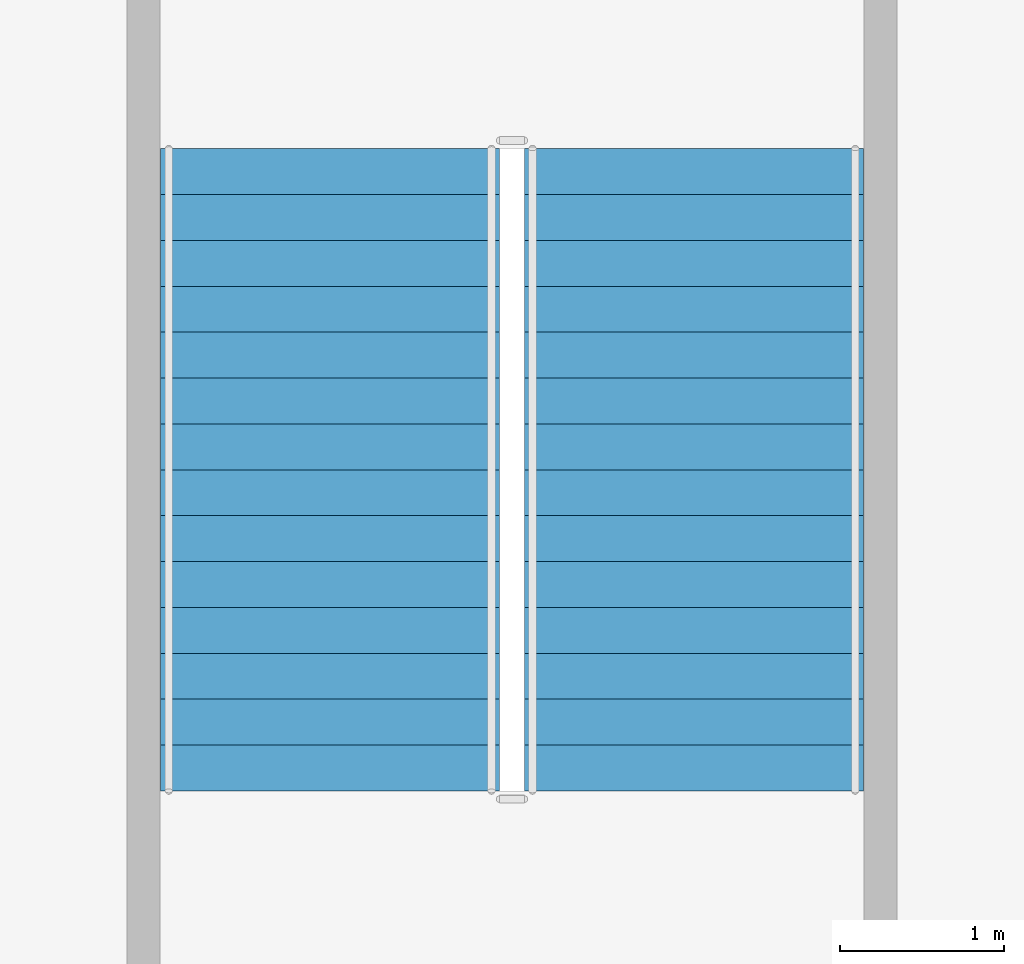
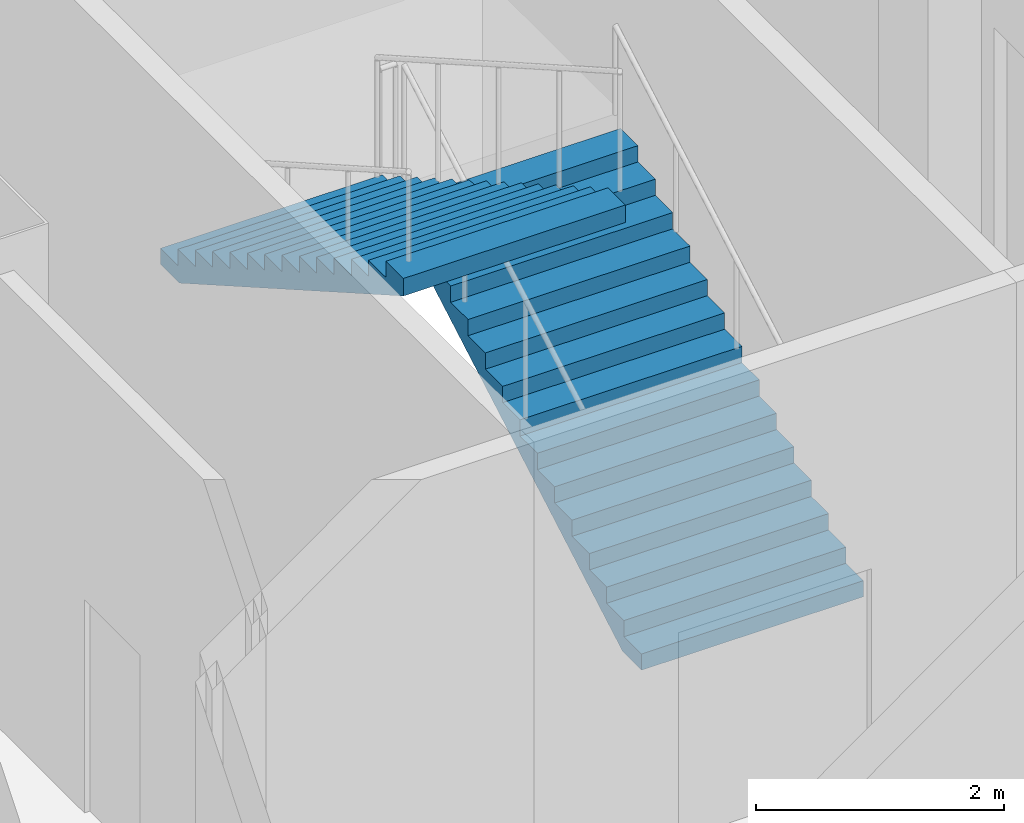
# One storey, part 18 of 23: 2 stair flights, 1 element without a shape of its own.
"""IFC4 building model written with IfcOpenShell, lengths in metres."""

from ifc_helpers import new_model, si_unit, direction, frame, origin, place, context, subcontext, project, spatial, polygons, material, type_object, element, aggregate, save


model = new_model("IFC4")

# Units and contexts
model_context = context("Model", 3, precision=1e-05, world=origin(), true_north=direction((0.0, 1.0)))
body_context = subcontext(model_context, "Body", "Model", "MODEL_VIEW")
ifc_project = project(units=[si_unit("LENGTHUNIT", "METRE"), si_unit("AREAUNIT", "SQUARE_METRE"), si_unit("VOLUMEUNIT", "CUBIC_METRE"), si_unit("PLANEANGLEUNIT", "RADIAN"), si_unit("MASSUNIT", "GRAM", prefix="KILO")], contexts=[model_context])

# Site, building, storey
site_placement = place(None, origin())
site = spatial("IfcSite", under=ifc_project, at=site_placement, CompositionType="ELEMENT")
building_placement = place(site_placement, origin())
building = spatial("IfcBuilding", under=site, at=building_placement, Name="Caravel Reach Hotel and Residences", CompositionType="ELEMENT")
storey_placement = place(building_placement, frame((0.0, 0.0, 24.0)))
storey = spatial("IfcBuildingStorey", under=building, at=storey_placement, Name="L04", CompositionType="ELEMENT", Elevation=24.0)

# Stair, stair flights
ifc_material_1 = material(Name="Concrete C40", Category="concrete")
stair_type = type_object("IfcStairType", Name="Core stair", PredefinedType="HALF_TURN_STAIR", material=ifc_material_1)
stair_placement = place(storey_placement, origin())
stair = element("IfcStair", 1, at=stair_placement, inside=storey, type_object=stair_type, Name="L04 Exit stair P6", PredefinedType="HALF_TURN_STAIR")
ifc_material_2 = material(Name="Concrete C40", Category="concrete")
stair_flight_type = type_object("IfcStairFlightType", Name="Core stair flight", PredefinedType="STRAIGHT", material=ifc_material_2)
stair_flight_1_placement = place(storey_placement, frame((64.360107421875, 42.68994140625, 0.0), z_axis=(0.0, 0.0, 1.0), x_axis=(0.0, 1.0, 0.0)))
stair_flight_1 = element("IfcStairFlight", 2, at=stair_flight_1_placement, type_object=stair_flight_type, Name="ST-P6 flight 1", NumberOfRisers=15, NumberOfTreads=14, PredefinedType="STRAIGHT", RiserHeight=0.16, TreadLength=0.28, context=body_context, shape_type="Tessellation", body=[
    polygons([(0.30213783309663755, 1.0350341796875, 0.0), (0.30213783309663755, 0.6900227864583333, 0.0), (0.30213783309663755, 0.34501139322916663, 0.0), (0.30213783309663755, 0.0, 0.0), (0.30213783309663755, -0.34501139322916674, 0.0), (0.30213783309663755, -0.6900227864583333, 0.0), (0.30213783309663755, -1.0350341796875, 0.0), (3.9210000000000003, 1.0350341796875, 2.0673498096590643), (3.9210000000000003, 0.6900227864583333, 2.0673498096590643), (3.9210000000000003, 0.34501139322916663, 2.0673498096590643), (3.9210000000000003, 0.0, 2.0673498096590643), (3.9210000000000003, -0.34501139322916674, 2.0673498096590643), (3.9210000000000003, -0.6900227864583333, 2.0673498096590643), (3.9210000000000003, -1.0350341796875, 2.0673498096590643), (3.9210000000000003, 1.0350341796875, 2.24), (3.9210000000000003, 0.6900227864583333, 2.24), (3.9210000000000003, 0.34501139322916663, 2.24), (3.9210000000000003, 0.0, 2.24), (3.9210000000000003, -0.34501139322916674, 2.24), (3.9210000000000003, -0.6900227864583333, 2.24), (3.9210000000000003, -1.0350341796875, 2.24), (3.6400000000000006, 1.0350341796875, 2.24), (3.6400000000000006, 0.6900227864583333, 2.24), (3.6400000000000006, 0.34501139322916663, 2.24), (3.6400000000000006, 0.0, 2.24), (3.6400000000000006, -0.34501139322916674, 2.24), (3.6400000000000006, -0.6900227864583333, 2.24), (3.6400000000000006, -1.0350341796875, 2.24), (3.6400000000000006, 1.0350341796875, 2.08), (3.6400000000000006, 0.6900227864583333, 2.08), (3.6400000000000006, 0.34501139322916663, 2.08), (3.6400000000000006, 0.0, 2.08), (3.6400000000000006, -0.34501139322916674, 2.08), (3.6400000000000006, -0.6900227864583333, 2.08), (3.6400000000000006, -1.0350341796875, 2.08), (3.3600000000000003, 1.0350341796875, 2.08), (3.3600000000000003, 0.6900227864583333, 2.08), (3.3600000000000003, 0.34501139322916663, 2.08), (3.3600000000000003, 0.0, 2.08), (3.3600000000000003, -0.34501139322916674, 2.08), (3.3600000000000003, -0.6900227864583333, 2.08), (3.3600000000000003, -1.0350341796875, 2.08), (3.3600000000000003, 1.0350341796875, 1.92), (3.3600000000000003, 0.6900227864583333, 1.92), (3.3600000000000003, 0.34501139322916663, 1.92), (3.3600000000000003, 0.0, 1.92), (3.3600000000000003, -0.34501139322916674, 1.92), (3.3600000000000003, -0.6900227864583333, 1.92), (3.3600000000000003, -1.0350341796875, 1.92), (3.08, 1.0350341796875, 1.92), (3.08, 0.6900227864583333, 1.92), (3.08, 0.34501139322916663, 1.92), (3.08, 0.0, 1.92), (3.08, -0.34501139322916674, 1.92), (3.08, -0.6900227864583333, 1.92), (3.08, -1.0350341796875, 1.92), (3.08, 1.0350341796875, 1.76), (3.08, 0.6900227864583333, 1.76), (3.08, 0.34501139322916663, 1.76), (3.08, 0.0, 1.76), (3.08, -0.34501139322916674, 1.76), (3.08, -0.6900227864583333, 1.76), (3.08, -1.0350341796875, 1.76), (2.8000000000000003, 1.0350341796875, 1.76), (2.8000000000000003, 0.6900227864583333, 1.76), (2.8000000000000003, 0.34501139322916663, 1.76), (2.8000000000000003, 0.0, 1.76), (2.8000000000000003, -0.34501139322916674, 1.76), (2.8000000000000003, -0.6900227864583333, 1.76), (2.8000000000000003, -1.0350341796875, 1.76), (2.8000000000000003, 1.0350341796875, 1.6), (2.8000000000000003, 0.6900227864583333, 1.6), (2.8000000000000003, 0.34501139322916663, 1.6), (2.8000000000000003, 0.0, 1.6), (2.8000000000000003, -0.34501139322916674, 1.6), (2.8000000000000003, -0.6900227864583333, 1.6), (2.8000000000000003, -1.0350341796875, 1.6), (2.5200000000000005, 1.0350341796875, 1.6), (2.5200000000000005, 0.6900227864583333, 1.6), (2.5200000000000005, 0.34501139322916663, 1.6), (2.5200000000000005, 0.0, 1.6), (2.5200000000000005, -0.34501139322916674, 1.6), (2.5200000000000005, -0.6900227864583333, 1.6), (2.5200000000000005, -1.0350341796875, 1.6), (2.5200000000000005, 1.0350341796875, 1.44), (2.5200000000000005, 0.6900227864583333, 1.44), (2.5200000000000005, 0.34501139322916663, 1.44), (2.5200000000000005, 0.0, 1.44), (2.5200000000000005, -0.34501139322916674, 1.44), (2.5200000000000005, -0.6900227864583333, 1.44), (2.5200000000000005, -1.0350341796875, 1.44), (2.24, 1.0350341796875, 1.44), (2.24, 0.6900227864583333, 1.44), (2.24, 0.34501139322916663, 1.44), (2.24, 0.0, 1.44), (2.24, -0.34501139322916674, 1.44), (2.24, -0.6900227864583333, 1.44), (2.24, -1.0350341796875, 1.44), (2.24, 1.0350341796875, 1.28), (2.24, 0.6900227864583333, 1.28), (2.24, 0.34501139322916663, 1.28), (2.24, 0.0, 1.28), (2.24, -0.34501139322916674, 1.28), (2.24, -0.6900227864583333, 1.28), (2.24, -1.0350341796875, 1.28), (1.9600000000000002, 1.0350341796875, 1.28), (1.9600000000000002, 0.6900227864583333, 1.28), (1.9600000000000002, 0.34501139322916663, 1.28), (1.9600000000000002, 0.0, 1.28), (1.9600000000000002, -0.34501139322916674, 1.28), (1.9600000000000002, -0.6900227864583333, 1.28), (1.9600000000000002, -1.0350341796875, 1.28), (1.9600000000000002, 1.0350341796875, 1.12), (1.9600000000000002, 0.6900227864583333, 1.12), (1.9600000000000002, 0.34501139322916663, 1.12), (1.9600000000000002, 0.0, 1.12), (1.9600000000000002, -0.34501139322916674, 1.12), (1.9600000000000002, -0.6900227864583333, 1.12), (1.9600000000000002, -1.0350341796875, 1.12), (1.6800000000000002, 1.0350341796875, 1.12), (1.6800000000000002, 0.6900227864583333, 1.12), (1.6800000000000002, 0.34501139322916663, 1.12), (1.6800000000000002, 0.0, 1.12), (1.6800000000000002, -0.34501139322916674, 1.12), (1.6800000000000002, -0.6900227864583333, 1.12), (1.6800000000000002, -1.0350341796875, 1.12), (1.6800000000000002, 1.0350341796875, 0.96), (1.6800000000000002, 0.6900227864583333, 0.96), (1.6800000000000002, 0.34501139322916663, 0.96), (1.6800000000000002, 0.0, 0.96), (1.6800000000000002, -0.34501139322916674, 0.96), (1.6800000000000002, -0.6900227864583333, 0.96), (1.6800000000000002, -1.0350341796875, 0.96), (1.4000000000000001, 1.0350341796875, 0.96), (1.4000000000000001, 0.6900227864583333, 0.96), (1.4000000000000001, 0.34501139322916663, 0.96), (1.4000000000000001, 0.0, 0.96), (1.4000000000000001, -0.34501139322916674, 0.96), (1.4000000000000001, -0.6900227864583333, 0.96), (1.4000000000000001, -1.0350341796875, 0.96), (1.4000000000000001, 1.0350341796875, 0.8), (1.4000000000000001, 0.6900227864583333, 0.8), (1.4000000000000001, 0.34501139322916663, 0.8), (1.4000000000000001, 0.0, 0.8), (1.4000000000000001, -0.34501139322916674, 0.8), (1.4000000000000001, -0.6900227864583333, 0.8), (1.4000000000000001, -1.0350341796875, 0.8), (1.12, 1.0350341796875, 0.8), (1.12, 0.6900227864583333, 0.8), (1.12, 0.34501139322916663, 0.8), (1.12, 0.0, 0.8), (1.12, -0.34501139322916674, 0.8), (1.12, -0.6900227864583333, 0.8), (1.12, -1.0350341796875, 0.8), (1.12, 1.0350341796875, 0.64), (1.12, 0.6900227864583333, 0.64), (1.12, 0.34501139322916663, 0.64), (1.12, 0.0, 0.64), (1.12, -0.34501139322916674, 0.64), (1.12, -0.6900227864583333, 0.64), (1.12, -1.0350341796875, 0.64), (0.8400000000000001, 1.0350341796875, 0.64), (0.8400000000000001, 0.6900227864583333, 0.64), (0.8400000000000001, 0.34501139322916663, 0.64), (0.8400000000000001, 0.0, 0.64), (0.8400000000000001, -0.34501139322916674, 0.64), (0.8400000000000001, -0.6900227864583333, 0.64), (0.8400000000000001, -1.0350341796875, 0.64), (0.8400000000000001, 1.0350341796875, 0.48), (0.8400000000000001, 0.6900227864583333, 0.48), (0.8400000000000001, 0.34501139322916663, 0.48), (0.8400000000000001, 0.0, 0.48), (0.8400000000000001, -0.34501139322916674, 0.48), (0.8400000000000001, -0.6900227864583333, 0.48), (0.8400000000000001, -1.0350341796875, 0.48), (0.56, 1.0350341796875, 0.48), (0.56, 0.6900227864583333, 0.48), (0.56, 0.34501139322916663, 0.48), (0.56, 0.0, 0.48), (0.56, -0.34501139322916674, 0.48), (0.56, -0.6900227864583333, 0.48), (0.56, -1.0350341796875, 0.48), (0.56, 1.0350341796875, 0.32), (0.56, 0.6900227864583333, 0.32), (0.56, 0.34501139322916663, 0.32), (0.56, 0.0, 0.32), (0.56, -0.34501139322916674, 0.32), (0.56, -0.6900227864583333, 0.32), (0.56, -1.0350341796875, 0.32), (0.28, 1.0350341796875, 0.32), (0.28, 0.6900227864583333, 0.32), (0.28, 0.34501139322916663, 0.32), (0.28, 0.0, 0.32), (0.28, -0.34501139322916674, 0.32), (0.28, -0.6900227864583333, 0.32), (0.28, -1.0350341796875, 0.32), (0.28, 1.0350341796875, 0.16), (0.28, 0.6900227864583333, 0.16), (0.28, 0.34501139322916663, 0.16), (0.28, 0.0, 0.16), (0.28, -0.34501139322916674, 0.16), (0.28, -0.6900227864583333, 0.16), (0.28, -1.0350341796875, 0.16), (-0.001, 1.0350341796875, 0.16), (-0.001, 0.6900227864583333, 0.16), (-0.001, 0.34501139322916663, 0.16), (-0.001, 0.0, 0.16), (-0.001, -0.34501139322916674, 0.16), (-0.001, -0.6900227864583333, 0.16), (-0.001, -1.0350341796875, 0.16), (-0.001, 1.0350341796875, 0.0), (-0.001, 0.6900227864583333, 0.0), (-0.001, 0.34501139322916663, 0.0), (-0.001, 0.0, 0.0), (-0.001, -0.34501139322916674, 0.0), (-0.001, -0.6900227864583333, 0.0), (-0.001, -1.0350341796875, 0.0)], [[[211, 204, 197, 190, 183, 176, 169, 162, 155, 148, 141, 134, 127, 120, 113, 106, 99, 92, 85, 78, 71, 64, 57, 50, 43, 36, 29, 22, 15, 8, 1]], [[7, 14, 21, 28, 35, 42, 49, 56, 63, 70, 77, 84, 91, 98, 105, 112, 119, 126, 133, 140, 147, 154, 161, 168, 175, 182, 189, 196, 203, 210, 217]], [[1, 8, 9, 2]], [[2, 9, 10, 3]], [[3, 10, 11, 4]], [[4, 11, 12, 5]], [[5, 12, 13, 6]], [[6, 13, 14, 7]], [[8, 15, 16, 9]], [[9, 16, 17, 10]], [[10, 17, 18, 11]], [[11, 18, 19, 12]], [[12, 19, 20, 13]], [[13, 20, 21, 14]], [[15, 22, 23, 16]], [[16, 23, 24, 17]], [[17, 24, 25, 18]], [[18, 25, 26, 19]], [[19, 26, 27, 20]], [[20, 27, 28, 21]], [[22, 29, 30, 23]], [[23, 30, 31, 24]], [[24, 31, 32, 25]], [[25, 32, 33, 26]], [[26, 33, 34, 27]], [[27, 34, 35, 28]], [[29, 36, 37, 30]], [[30, 37, 38, 31]], [[31, 38, 39, 32]], [[32, 39, 40, 33]], [[33, 40, 41, 34]], [[34, 41, 42, 35]], [[36, 43, 44, 37]], [[37, 44, 45, 38]], [[38, 45, 46, 39]], [[39, 46, 47, 40]], [[40, 47, 48, 41]], [[41, 48, 49, 42]], [[43, 50, 51, 44]], [[44, 51, 52, 45]], [[45, 52, 53, 46]], [[46, 53, 54, 47]], [[47, 54, 55, 48]], [[48, 55, 56, 49]], [[50, 57, 58, 51]], [[51, 58, 59, 52]], [[52, 59, 60, 53]], [[53, 60, 61, 54]], [[54, 61, 62, 55]], [[55, 62, 63, 56]], [[57, 64, 65, 58]], [[58, 65, 66, 59]], [[59, 66, 67, 60]], [[60, 67, 68, 61]], [[61, 68, 69, 62]], [[62, 69, 70, 63]], [[64, 71, 72, 65]], [[65, 72, 73, 66]], [[66, 73, 74, 67]], [[67, 74, 75, 68]], [[68, 75, 76, 69]], [[69, 76, 77, 70]], [[71, 78, 79, 72]], [[72, 79, 80, 73]], [[73, 80, 81, 74]], [[74, 81, 82, 75]], [[75, 82, 83, 76]], [[76, 83, 84, 77]], [[78, 85, 86, 79]], [[79, 86, 87, 80]], [[80, 87, 88, 81]], [[81, 88, 89, 82]], [[82, 89, 90, 83]], [[83, 90, 91, 84]], [[85, 92, 93, 86]], [[86, 93, 94, 87]], [[87, 94, 95, 88]], [[88, 95, 96, 89]], [[89, 96, 97, 90]], [[90, 97, 98, 91]], [[92, 99, 100, 93]], [[93, 100, 101, 94]], [[94, 101, 102, 95]], [[95, 102, 103, 96]], [[96, 103, 104, 97]], [[97, 104, 105, 98]], [[99, 106, 107, 100]], [[100, 107, 108, 101]], [[101, 108, 109, 102]], [[102, 109, 110, 103]], [[103, 110, 111, 104]], [[104, 111, 112, 105]], [[106, 113, 114, 107]], [[107, 114, 115, 108]], [[108, 115, 116, 109]], [[109, 116, 117, 110]], [[110, 117, 118, 111]], [[111, 118, 119, 112]], [[113, 120, 121, 114]], [[114, 121, 122, 115]], [[115, 122, 123, 116]], [[116, 123, 124, 117]], [[117, 124, 125, 118]], [[118, 125, 126, 119]], [[120, 127, 128, 121]], [[121, 128, 129, 122]], [[122, 129, 130, 123]], [[123, 130, 131, 124]], [[124, 131, 132, 125]], [[125, 132, 133, 126]], [[127, 134, 135, 128]], [[128, 135, 136, 129]], [[129, 136, 137, 130]], [[130, 137, 138, 131]], [[131, 138, 139, 132]], [[132, 139, 140, 133]], [[134, 141, 142, 135]], [[135, 142, 143, 136]], [[136, 143, 144, 137]], [[137, 144, 145, 138]], [[138, 145, 146, 139]], [[139, 146, 147, 140]], [[141, 148, 149, 142]], [[142, 149, 150, 143]], [[143, 150, 151, 144]], [[144, 151, 152, 145]], [[145, 152, 153, 146]], [[146, 153, 154, 147]], [[148, 155, 156, 149]], [[149, 156, 157, 150]], [[150, 157, 158, 151]], [[151, 158, 159, 152]], [[152, 159, 160, 153]], [[153, 160, 161, 154]], [[155, 162, 163, 156]], [[156, 163, 164, 157]], [[157, 164, 165, 158]], [[158, 165, 166, 159]], [[159, 166, 167, 160]], [[160, 167, 168, 161]], [[162, 169, 170, 163]], [[163, 170, 171, 164]], [[164, 171, 172, 165]], [[165, 172, 173, 166]], [[166, 173, 174, 167]], [[167, 174, 175, 168]], [[169, 176, 177, 170]], [[170, 177, 178, 171]], [[171, 178, 179, 172]], [[172, 179, 180, 173]], [[173, 180, 181, 174]], [[174, 181, 182, 175]], [[176, 183, 184, 177]], [[177, 184, 185, 178]], [[178, 185, 186, 179]], [[179, 186, 187, 180]], [[180, 187, 188, 181]], [[181, 188, 189, 182]], [[183, 190, 191, 184]], [[184, 191, 192, 185]], [[185, 192, 193, 186]], [[186, 193, 194, 187]], [[187, 194, 195, 188]], [[188, 195, 196, 189]], [[190, 197, 198, 191]], [[191, 198, 199, 192]], [[192, 199, 200, 193]], [[193, 200, 201, 194]], [[194, 201, 202, 195]], [[195, 202, 203, 196]], [[197, 204, 205, 198]], [[198, 205, 206, 199]], [[199, 206, 207, 200]], [[200, 207, 208, 201]], [[201, 208, 209, 202]], [[202, 209, 210, 203]], [[204, 211, 212, 205]], [[205, 212, 213, 206]], [[206, 213, 214, 207]], [[207, 214, 215, 208]], [[208, 215, 216, 209]], [[209, 216, 217, 210]], [[211, 1, 2, 212]], [[212, 2, 3, 213]], [[213, 3, 4, 214]], [[214, 4, 5, 215]], [[215, 5, 6, 216]], [[216, 6, 7, 217]]], closed=True),
])
stair_flight_2_placement = place(storey_placement, frame((62.139892578125, 46.610107421875, 2.39990234375), z_axis=(0.0, 0.0, 1.0), x_axis=(0.0, -1.0, 0.0)))
stair_flight_2 = element("IfcStairFlight", 3, at=stair_flight_2_placement, type_object=stair_flight_type, Name="ST-P6 flight 2", NumberOfRisers=15, NumberOfTreads=14, PredefinedType="STRAIGHT", RiserHeight=0.16, TreadLength=0.28, context=body_context, shape_type="Tessellation", body=[
    polygons([(0.30213783309663755, 1.0350341796875, 0.0), (0.30213783309663755, 0.6900227864583333, 0.0), (0.30213783309663755, 0.34501139322916663, 0.0), (0.30213783309663755, 0.0, 0.0), (0.30213783309663755, -0.34501139322916674, 0.0), (0.30213783309663755, -0.6900227864583333, 0.0), (0.30213783309663755, -1.0350341796875, 0.0), (3.9210000000000003, 1.0350341796875, 2.0673498096590643), (3.9210000000000003, 0.6900227864583333, 2.0673498096590643), (3.9210000000000003, 0.34501139322916663, 2.0673498096590643), (3.9210000000000003, 0.0, 2.0673498096590643), (3.9210000000000003, -0.34501139322916674, 2.0673498096590643), (3.9210000000000003, -0.6900227864583333, 2.0673498096590643), (3.9210000000000003, -1.0350341796875, 2.0673498096590643), (3.9210000000000003, 1.0350341796875, 2.24), (3.9210000000000003, 0.6900227864583333, 2.24), (3.9210000000000003, 0.34501139322916663, 2.24), (3.9210000000000003, 0.0, 2.24), (3.9210000000000003, -0.34501139322916674, 2.24), (3.9210000000000003, -0.6900227864583333, 2.24), (3.9210000000000003, -1.0350341796875, 2.24), (3.6400000000000006, 1.0350341796875, 2.24), (3.6400000000000006, 0.6900227864583333, 2.24), (3.6400000000000006, 0.34501139322916663, 2.24), (3.6400000000000006, 0.0, 2.24), (3.6400000000000006, -0.34501139322916674, 2.24), (3.6400000000000006, -0.6900227864583333, 2.24), (3.6400000000000006, -1.0350341796875, 2.24), (3.6400000000000006, 1.0350341796875, 2.08), (3.6400000000000006, 0.6900227864583333, 2.08), (3.6400000000000006, 0.34501139322916663, 2.08), (3.6400000000000006, 0.0, 2.08), (3.6400000000000006, -0.34501139322916674, 2.08), (3.6400000000000006, -0.6900227864583333, 2.08), (3.6400000000000006, -1.0350341796875, 2.08), (3.3600000000000003, 1.0350341796875, 2.08), (3.3600000000000003, 0.6900227864583333, 2.08), (3.3600000000000003, 0.34501139322916663, 2.08), (3.3600000000000003, 0.0, 2.08), (3.3600000000000003, -0.34501139322916674, 2.08), (3.3600000000000003, -0.6900227864583333, 2.08), (3.3600000000000003, -1.0350341796875, 2.08), (3.3600000000000003, 1.0350341796875, 1.92), (3.3600000000000003, 0.6900227864583333, 1.92), (3.3600000000000003, 0.34501139322916663, 1.92), (3.3600000000000003, 0.0, 1.92), (3.3600000000000003, -0.34501139322916674, 1.92), (3.3600000000000003, -0.6900227864583333, 1.92), (3.3600000000000003, -1.0350341796875, 1.92), (3.08, 1.0350341796875, 1.92), (3.08, 0.6900227864583333, 1.92), (3.08, 0.34501139322916663, 1.92), (3.08, 0.0, 1.92), (3.08, -0.34501139322916674, 1.92), (3.08, -0.6900227864583333, 1.92), (3.08, -1.0350341796875, 1.92), (3.08, 1.0350341796875, 1.76), (3.08, 0.6900227864583333, 1.76), (3.08, 0.34501139322916663, 1.76), (3.08, 0.0, 1.76), (3.08, -0.34501139322916674, 1.76), (3.08, -0.6900227864583333, 1.76), (3.08, -1.0350341796875, 1.76), (2.8000000000000003, 1.0350341796875, 1.76), (2.8000000000000003, 0.6900227864583333, 1.76), (2.8000000000000003, 0.34501139322916663, 1.76), (2.8000000000000003, 0.0, 1.76), (2.8000000000000003, -0.34501139322916674, 1.76), (2.8000000000000003, -0.6900227864583333, 1.76), (2.8000000000000003, -1.0350341796875, 1.76), (2.8000000000000003, 1.0350341796875, 1.6), (2.8000000000000003, 0.6900227864583333, 1.6), (2.8000000000000003, 0.34501139322916663, 1.6), (2.8000000000000003, 0.0, 1.6), (2.8000000000000003, -0.34501139322916674, 1.6), (2.8000000000000003, -0.6900227864583333, 1.6), (2.8000000000000003, -1.0350341796875, 1.6), (2.5200000000000005, 1.0350341796875, 1.6), (2.5200000000000005, 0.6900227864583333, 1.6), (2.5200000000000005, 0.34501139322916663, 1.6), (2.5200000000000005, 0.0, 1.6), (2.5200000000000005, -0.34501139322916674, 1.6), (2.5200000000000005, -0.6900227864583333, 1.6), (2.5200000000000005, -1.0350341796875, 1.6), (2.5200000000000005, 1.0350341796875, 1.44), (2.5200000000000005, 0.6900227864583333, 1.44), (2.5200000000000005, 0.34501139322916663, 1.44), (2.5200000000000005, 0.0, 1.44), (2.5200000000000005, -0.34501139322916674, 1.44), (2.5200000000000005, -0.6900227864583333, 1.44), (2.5200000000000005, -1.0350341796875, 1.44), (2.24, 1.0350341796875, 1.44), (2.24, 0.6900227864583333, 1.44), (2.24, 0.34501139322916663, 1.44), (2.24, 0.0, 1.44), (2.24, -0.34501139322916674, 1.44), (2.24, -0.6900227864583333, 1.44), (2.24, -1.0350341796875, 1.44), (2.24, 1.0350341796875, 1.28), (2.24, 0.6900227864583333, 1.28), (2.24, 0.34501139322916663, 1.28), (2.24, 0.0, 1.28), (2.24, -0.34501139322916674, 1.28), (2.24, -0.6900227864583333, 1.28), (2.24, -1.0350341796875, 1.28), (1.9600000000000002, 1.0350341796875, 1.28), (1.9600000000000002, 0.6900227864583333, 1.28), (1.9600000000000002, 0.34501139322916663, 1.28), (1.9600000000000002, 0.0, 1.28), (1.9600000000000002, -0.34501139322916674, 1.28), (1.9600000000000002, -0.6900227864583333, 1.28), (1.9600000000000002, -1.0350341796875, 1.28), (1.9600000000000002, 1.0350341796875, 1.12), (1.9600000000000002, 0.6900227864583333, 1.12), (1.9600000000000002, 0.34501139322916663, 1.12), (1.9600000000000002, 0.0, 1.12), (1.9600000000000002, -0.34501139322916674, 1.12), (1.9600000000000002, -0.6900227864583333, 1.12), (1.9600000000000002, -1.0350341796875, 1.12), (1.6800000000000002, 1.0350341796875, 1.12), (1.6800000000000002, 0.6900227864583333, 1.12), (1.6800000000000002, 0.34501139322916663, 1.12), (1.6800000000000002, 0.0, 1.12), (1.6800000000000002, -0.34501139322916674, 1.12), (1.6800000000000002, -0.6900227864583333, 1.12), (1.6800000000000002, -1.0350341796875, 1.12), (1.6800000000000002, 1.0350341796875, 0.96), (1.6800000000000002, 0.6900227864583333, 0.96), (1.6800000000000002, 0.34501139322916663, 0.96), (1.6800000000000002, 0.0, 0.96), (1.6800000000000002, -0.34501139322916674, 0.96), (1.6800000000000002, -0.6900227864583333, 0.96), (1.6800000000000002, -1.0350341796875, 0.96), (1.4000000000000001, 1.0350341796875, 0.96), (1.4000000000000001, 0.6900227864583333, 0.96), (1.4000000000000001, 0.34501139322916663, 0.96), (1.4000000000000001, 0.0, 0.96), (1.4000000000000001, -0.34501139322916674, 0.96), (1.4000000000000001, -0.6900227864583333, 0.96), (1.4000000000000001, -1.0350341796875, 0.96), (1.4000000000000001, 1.0350341796875, 0.8), (1.4000000000000001, 0.6900227864583333, 0.8), (1.4000000000000001, 0.34501139322916663, 0.8), (1.4000000000000001, 0.0, 0.8), (1.4000000000000001, -0.34501139322916674, 0.8), (1.4000000000000001, -0.6900227864583333, 0.8), (1.4000000000000001, -1.0350341796875, 0.8), (1.12, 1.0350341796875, 0.8), (1.12, 0.6900227864583333, 0.8), (1.12, 0.34501139322916663, 0.8), (1.12, 0.0, 0.8), (1.12, -0.34501139322916674, 0.8), (1.12, -0.6900227864583333, 0.8), (1.12, -1.0350341796875, 0.8), (1.12, 1.0350341796875, 0.64), (1.12, 0.6900227864583333, 0.64), (1.12, 0.34501139322916663, 0.64), (1.12, 0.0, 0.64), (1.12, -0.34501139322916674, 0.64), (1.12, -0.6900227864583333, 0.64), (1.12, -1.0350341796875, 0.64), (0.8400000000000001, 1.0350341796875, 0.64), (0.8400000000000001, 0.6900227864583333, 0.64), (0.8400000000000001, 0.34501139322916663, 0.64), (0.8400000000000001, 0.0, 0.64), (0.8400000000000001, -0.34501139322916674, 0.64), (0.8400000000000001, -0.6900227864583333, 0.64), (0.8400000000000001, -1.0350341796875, 0.64), (0.8400000000000001, 1.0350341796875, 0.48), (0.8400000000000001, 0.6900227864583333, 0.48), (0.8400000000000001, 0.34501139322916663, 0.48), (0.8400000000000001, 0.0, 0.48), (0.8400000000000001, -0.34501139322916674, 0.48), (0.8400000000000001, -0.6900227864583333, 0.48), (0.8400000000000001, -1.0350341796875, 0.48), (0.56, 1.0350341796875, 0.48), (0.56, 0.6900227864583333, 0.48), (0.56, 0.34501139322916663, 0.48), (0.56, 0.0, 0.48), (0.56, -0.34501139322916674, 0.48), (0.56, -0.6900227864583333, 0.48), (0.56, -1.0350341796875, 0.48), (0.56, 1.0350341796875, 0.32), (0.56, 0.6900227864583333, 0.32), (0.56, 0.34501139322916663, 0.32), (0.56, 0.0, 0.32), (0.56, -0.34501139322916674, 0.32), (0.56, -0.6900227864583333, 0.32), (0.56, -1.0350341796875, 0.32), (0.28, 1.0350341796875, 0.32), (0.28, 0.6900227864583333, 0.32), (0.28, 0.34501139322916663, 0.32), (0.28, 0.0, 0.32), (0.28, -0.34501139322916674, 0.32), (0.28, -0.6900227864583333, 0.32), (0.28, -1.0350341796875, 0.32), (0.28, 1.0350341796875, 0.16), (0.28, 0.6900227864583333, 0.16), (0.28, 0.34501139322916663, 0.16), (0.28, 0.0, 0.16), (0.28, -0.34501139322916674, 0.16), (0.28, -0.6900227864583333, 0.16), (0.28, -1.0350341796875, 0.16), (-0.001, 1.0350341796875, 0.16), (-0.001, 0.6900227864583333, 0.16), (-0.001, 0.34501139322916663, 0.16), (-0.001, 0.0, 0.16), (-0.001, -0.34501139322916674, 0.16), (-0.001, -0.6900227864583333, 0.16), (-0.001, -1.0350341796875, 0.16), (-0.001, 1.0350341796875, 0.0), (-0.001, 0.6900227864583333, 0.0), (-0.001, 0.34501139322916663, 0.0), (-0.001, 0.0, 0.0), (-0.001, -0.34501139322916674, 0.0), (-0.001, -0.6900227864583333, 0.0), (-0.001, -1.0350341796875, 0.0)], [[[211, 204, 197, 190, 183, 176, 169, 162, 155, 148, 141, 134, 127, 120, 113, 106, 99, 92, 85, 78, 71, 64, 57, 50, 43, 36, 29, 22, 15, 8, 1]], [[7, 14, 21, 28, 35, 42, 49, 56, 63, 70, 77, 84, 91, 98, 105, 112, 119, 126, 133, 140, 147, 154, 161, 168, 175, 182, 189, 196, 203, 210, 217]], [[1, 8, 9, 2]], [[2, 9, 10, 3]], [[3, 10, 11, 4]], [[4, 11, 12, 5]], [[5, 12, 13, 6]], [[6, 13, 14, 7]], [[8, 15, 16, 9]], [[9, 16, 17, 10]], [[10, 17, 18, 11]], [[11, 18, 19, 12]], [[12, 19, 20, 13]], [[13, 20, 21, 14]], [[15, 22, 23, 16]], [[16, 23, 24, 17]], [[17, 24, 25, 18]], [[18, 25, 26, 19]], [[19, 26, 27, 20]], [[20, 27, 28, 21]], [[22, 29, 30, 23]], [[23, 30, 31, 24]], [[24, 31, 32, 25]], [[25, 32, 33, 26]], [[26, 33, 34, 27]], [[27, 34, 35, 28]], [[29, 36, 37, 30]], [[30, 37, 38, 31]], [[31, 38, 39, 32]], [[32, 39, 40, 33]], [[33, 40, 41, 34]], [[34, 41, 42, 35]], [[36, 43, 44, 37]], [[37, 44, 45, 38]], [[38, 45, 46, 39]], [[39, 46, 47, 40]], [[40, 47, 48, 41]], [[41, 48, 49, 42]], [[43, 50, 51, 44]], [[44, 51, 52, 45]], [[45, 52, 53, 46]], [[46, 53, 54, 47]], [[47, 54, 55, 48]], [[48, 55, 56, 49]], [[50, 57, 58, 51]], [[51, 58, 59, 52]], [[52, 59, 60, 53]], [[53, 60, 61, 54]], [[54, 61, 62, 55]], [[55, 62, 63, 56]], [[57, 64, 65, 58]], [[58, 65, 66, 59]], [[59, 66, 67, 60]], [[60, 67, 68, 61]], [[61, 68, 69, 62]], [[62, 69, 70, 63]], [[64, 71, 72, 65]], [[65, 72, 73, 66]], [[66, 73, 74, 67]], [[67, 74, 75, 68]], [[68, 75, 76, 69]], [[69, 76, 77, 70]], [[71, 78, 79, 72]], [[72, 79, 80, 73]], [[73, 80, 81, 74]], [[74, 81, 82, 75]], [[75, 82, 83, 76]], [[76, 83, 84, 77]], [[78, 85, 86, 79]], [[79, 86, 87, 80]], [[80, 87, 88, 81]], [[81, 88, 89, 82]], [[82, 89, 90, 83]], [[83, 90, 91, 84]], [[85, 92, 93, 86]], [[86, 93, 94, 87]], [[87, 94, 95, 88]], [[88, 95, 96, 89]], [[89, 96, 97, 90]], [[90, 97, 98, 91]], [[92, 99, 100, 93]], [[93, 100, 101, 94]], [[94, 101, 102, 95]], [[95, 102, 103, 96]], [[96, 103, 104, 97]], [[97, 104, 105, 98]], [[99, 106, 107, 100]], [[100, 107, 108, 101]], [[101, 108, 109, 102]], [[102, 109, 110, 103]], [[103, 110, 111, 104]], [[104, 111, 112, 105]], [[106, 113, 114, 107]], [[107, 114, 115, 108]], [[108, 115, 116, 109]], [[109, 116, 117, 110]], [[110, 117, 118, 111]], [[111, 118, 119, 112]], [[113, 120, 121, 114]], [[114, 121, 122, 115]], [[115, 122, 123, 116]], [[116, 123, 124, 117]], [[117, 124, 125, 118]], [[118, 125, 126, 119]], [[120, 127, 128, 121]], [[121, 128, 129, 122]], [[122, 129, 130, 123]], [[123, 130, 131, 124]], [[124, 131, 132, 125]], [[125, 132, 133, 126]], [[127, 134, 135, 128]], [[128, 135, 136, 129]], [[129, 136, 137, 130]], [[130, 137, 138, 131]], [[131, 138, 139, 132]], [[132, 139, 140, 133]], [[134, 141, 142, 135]], [[135, 142, 143, 136]], [[136, 143, 144, 137]], [[137, 144, 145, 138]], [[138, 145, 146, 139]], [[139, 146, 147, 140]], [[141, 148, 149, 142]], [[142, 149, 150, 143]], [[143, 150, 151, 144]], [[144, 151, 152, 145]], [[145, 152, 153, 146]], [[146, 153, 154, 147]], [[148, 155, 156, 149]], [[149, 156, 157, 150]], [[150, 157, 158, 151]], [[151, 158, 159, 152]], [[152, 159, 160, 153]], [[153, 160, 161, 154]], [[155, 162, 163, 156]], [[156, 163, 164, 157]], [[157, 164, 165, 158]], [[158, 165, 166, 159]], [[159, 166, 167, 160]], [[160, 167, 168, 161]], [[162, 169, 170, 163]], [[163, 170, 171, 164]], [[164, 171, 172, 165]], [[165, 172, 173, 166]], [[166, 173, 174, 167]], [[167, 174, 175, 168]], [[169, 176, 177, 170]], [[170, 177, 178, 171]], [[171, 178, 179, 172]], [[172, 179, 180, 173]], [[173, 180, 181, 174]], [[174, 181, 182, 175]], [[176, 183, 184, 177]], [[177, 184, 185, 178]], [[178, 185, 186, 179]], [[179, 186, 187, 180]], [[180, 187, 188, 181]], [[181, 188, 189, 182]], [[183, 190, 191, 184]], [[184, 191, 192, 185]], [[185, 192, 193, 186]], [[186, 193, 194, 187]], [[187, 194, 195, 188]], [[188, 195, 196, 189]], [[190, 197, 198, 191]], [[191, 198, 199, 192]], [[192, 199, 200, 193]], [[193, 200, 201, 194]], [[194, 201, 202, 195]], [[195, 202, 203, 196]], [[197, 204, 205, 198]], [[198, 205, 206, 199]], [[199, 206, 207, 200]], [[200, 207, 208, 201]], [[201, 208, 209, 202]], [[202, 209, 210, 203]], [[204, 211, 212, 205]], [[205, 212, 213, 206]], [[206, 213, 214, 207]], [[207, 214, 215, 208]], [[208, 215, 216, 209]], [[209, 216, 217, 210]], [[211, 1, 2, 212]], [[212, 2, 3, 213]], [[213, 3, 4, 214]], [[214, 4, 5, 215]], [[215, 5, 6, 216]], [[216, 6, 7, 217]]], closed=True),
])
aggregate(stair, [stair_flight_1, stair_flight_2])

save(model, "model.ifc")
